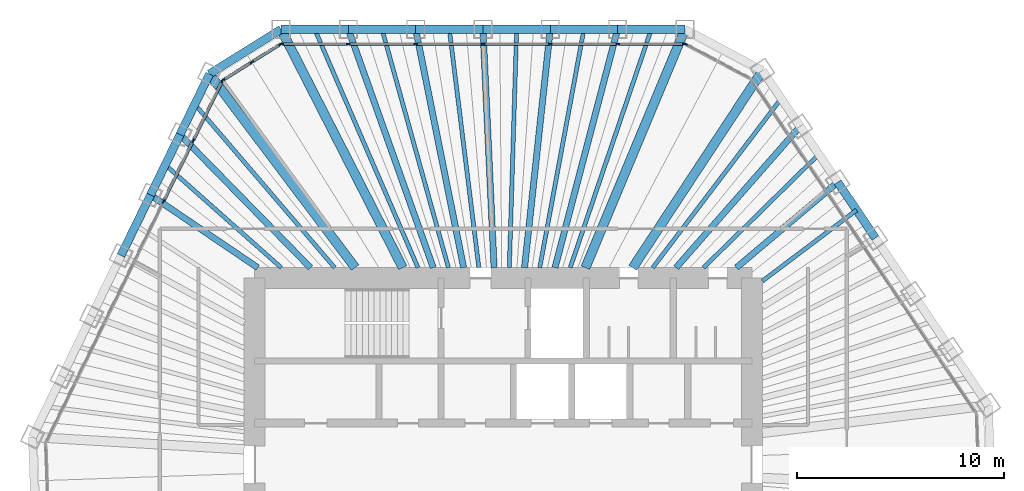
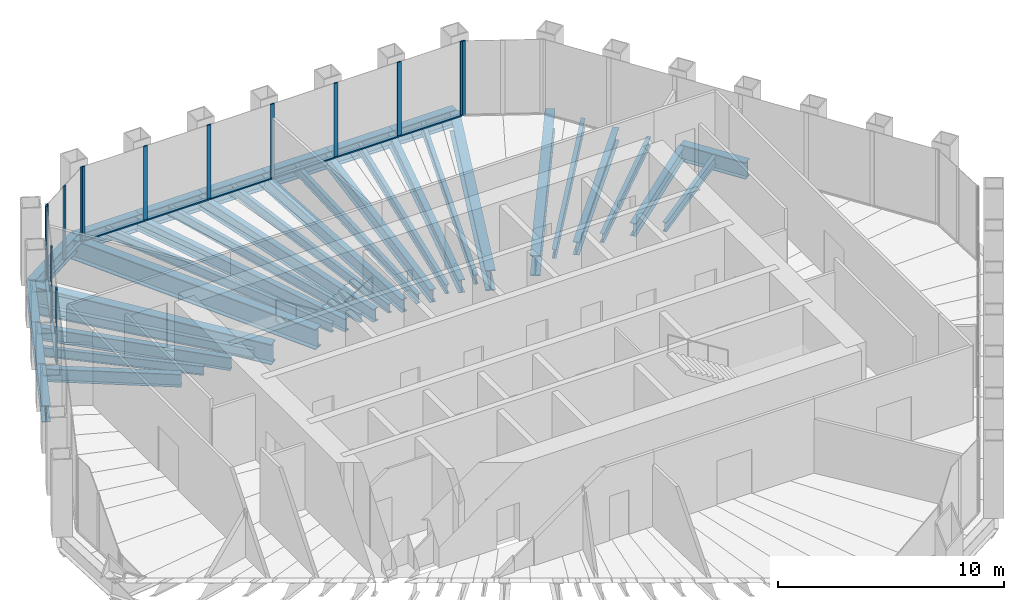
# One storey, part 7 of 14: 35 beams, 24 members, 4 elements without a shape of their own.
"""IFC4 building model written with IfcOpenShell, lengths in metres."""

from ifc_helpers import new_model, si_unit, direction, frame, origin, origin_2d, place, context, subcontext, project, spatial, rectangle, i_section, extrude, material, material_profile, profile_set, type_object, element, aggregate, save


model = new_model("IFC4")

# Units and contexts
model_context = context("Model", 3, precision=1e-05, world=origin(), true_north=direction((0.0, 1.0)))
body_context = subcontext(model_context, "Body", "Model", "MODEL_VIEW")
ifc_project = project(units=[si_unit("LENGTHUNIT", "METRE"), si_unit("AREAUNIT", "SQUARE_METRE"), si_unit("VOLUMEUNIT", "CUBIC_METRE"), si_unit("PLANEANGLEUNIT", "RADIAN"), si_unit("MASSUNIT", "GRAM", prefix="KILO")], contexts=[model_context])

# Site, building, storey
site_placement = place(None, origin())
site = spatial("IfcSite", under=ifc_project, at=site_placement, CompositionType="ELEMENT")
building_placement = place(site_placement, origin())
building = spatial("IfcBuilding", under=site, at=building_placement, Name="Qingtian Harvest Tower", CompositionType="ELEMENT")
storey_placement = place(building_placement, frame((0.0, 0.0, 291.39990234375)))
storey = spatial("IfcBuildingStorey", under=building, at=storey_placement, Name="L64", CompositionType="ELEMENT", Elevation=291.39990234375)

# Beams
ifc_material_1 = material(Name="Steel SM570MC", Category="steel")
ifc_material_profile_1 = material_profile(ifc_material_1, i_section(OverallWidth=0.449951171875, OverallDepth=1.10009765625, WebThickness=0.02197265625, FlangeThickness=0.044921875, at=origin_2d()), Name="H1100x450x22x45")
ifc_profile_set_1 = profile_set([ifc_material_profile_1], Name="Steel SM570MC")
beam_type_1 = type_object("IfcBeamType", Name="Corner floor beam FB8 H1100x450x22x45", PredefinedType="BEAM", material=ifc_profile_set_1)
beam_1_placement = place(storey_placement, frame((-10.72216796875, 21.0, -0.719970703125), z_axis=(0.454730568944, -0.890629052787, 0.0), x_axis=(0.890629052787, 0.454730568944, 0.0)))
element("IfcBeam", 1, at=beam_1_placement, inside=storey, type_object=beam_type_1, Name="Floor beam FB8 N0", PredefinedType="BEAM", context=body_context, shape_type="SweptSolid", body=[
    extrude(i_section(OverallWidth=0.449951171875, OverallDepth=1.10009765625, WebThickness=0.02197265625, FlangeThickness=0.044921875, at=origin_2d()), origin(), (0.0, 0.0, 1.0), 12.912109375),
])
beam_2_placement = place(storey_placement, frame((8.765869140625, 21.0, -0.719970703125), z_axis=(-0.385205133264, -0.922830973313, 0.0), x_axis=(0.922830973313, -0.385205133264, 0.0)))
element("IfcBeam", 2, at=beam_2_placement, inside=storey, type_object=beam_type_1, Name="Floor beam FB8 N6", PredefinedType="BEAM", context=body_context, shape_type="SweptSolid", body=[
    extrude(i_section(OverallWidth=0.449951171875, OverallDepth=1.10009765625, WebThickness=0.02197265625, FlangeThickness=0.044921875, at=origin_2d()), origin(), (0.0, 0.0, 1.0), 12.461669921875),
])
beam_3_placement = place(storey_placement, frame((12.508056640625, 19.01025390625, -0.719970703125), z_axis=(-0.549666916329, -0.835383912398, 0.0), x_axis=(0.835383912398, -0.549666916329, 0.0)))
element("IfcBeam", 3, at=beam_3_placement, inside=storey, type_object=beam_type_1, Name="Floor beam FB8 NE0", PredefinedType="BEAM", context=body_context, shape_type="SweptSolid", body=[
    extrude(i_section(OverallWidth=0.449951171875, OverallDepth=1.10009765625, WebThickness=0.02197265625, FlangeThickness=0.044921875, at=origin_2d()), origin(), (0.0, 0.0, 1.0), 11.38427734375),
])
beam_4_placement = place(storey_placement, frame((-14.17431640625, 18.8427734375, -0.719970703125), z_axis=(0.601148761641, -0.799137138655, 0.0), x_axis=(0.799137138655, 0.601148761641, 0.0)))
element("IfcBeam", 4, at=beam_4_placement, inside=storey, type_object=beam_type_1, Name="Floor beam FB8 NW6", PredefinedType="BEAM", context=body_context, shape_type="SweptSolid", body=[
    extrude(i_section(OverallWidth=0.449951171875, OverallDepth=1.10009765625, WebThickness=0.02197265625, FlangeThickness=0.044921875, at=origin_2d()), origin(), (0.0, 0.0, 1.0), 11.691162109375),
])
ifc_material_2 = material(Name="Steel SN490B", Category="steel")
ifc_material_profile_2 = material_profile(ifc_material_2, i_section(OverallWidth=0.300048828125, OverallDepth=0.699951171875, WebThickness=0.012939453125, FlangeThickness=0.02392578125, at=origin_2d()), Name="H700x300x13x24")
ifc_profile_set_2 = profile_set([ifc_material_profile_2], Name="Steel SN490B")
beam_type_2 = type_object("IfcBeamType", Name="Floor beam FB4 H700x300x13x24", PredefinedType="BEAM", material=ifc_profile_set_2)
beam_5_placement = place(storey_placement, frame((-7.47412109375, 21.0, -0.52001953125), z_axis=(0.335309922571, -0.94210787908, 0.0), x_axis=(0.94210787908, 0.335309922571, 0.0)))
element("IfcBeam", 5, at=beam_5_placement, inside=storey, type_object=beam_type_2, Name="Floor beam FB4 N1", PredefinedType="BEAM", context=body_context, shape_type="SweptSolid", body=[
    extrude(i_section(OverallWidth=0.300048828125, OverallDepth=0.699951171875, WebThickness=0.012939453125, FlangeThickness=0.02392578125, at=origin_2d()), origin(), (0.0, 0.0, 1.0), 12.206787109375),
])
beam_6_placement = place(storey_placement, frame((-4.226318359375, 21.0, -0.52001953125), z_axis=(0.197300692693, -0.980343019898, 0.0), x_axis=(0.980343019898, 0.197300692693, 0.0)))
element("IfcBeam", 6, at=beam_6_placement, inside=storey, type_object=beam_type_2, Name="Floor beam FB4 N2", PredefinedType="BEAM", context=body_context, shape_type="SweptSolid", body=[
    extrude(i_section(OverallWidth=0.300048828125, OverallDepth=0.699951171875, WebThickness=0.012939453125, FlangeThickness=0.02392578125, at=origin_2d()), origin(), (0.0, 0.0, 1.0), 11.73046875),
])
beam_7_placement = place(storey_placement, frame((-0.978271484375, 21.0, -0.52001953125), z_axis=(0.046527342366, -0.99891701678, 0.0), x_axis=(0.99891701678, 0.046527342366, 0.0)))
element("IfcBeam", 7, at=beam_7_placement, inside=storey, type_object=beam_type_2, Name="Floor beam FB4 N3", PredefinedType="BEAM", context=body_context, shape_type="SweptSolid", body=[
    extrude(i_section(OverallWidth=0.300048828125, OverallDepth=0.699951171875, WebThickness=0.012939453125, FlangeThickness=0.02392578125, at=origin_2d()), origin(), (0.0, 0.0, 1.0), 11.512451171875),
])
beam_8_placement = place(storey_placement, frame((2.269775390625, 21.0, -0.52001953125), z_axis=(-0.107454213734, -0.994210034123, 0.0), x_axis=(0.994210034123, -0.107454213734, 0.0)))
element("IfcBeam", 8, at=beam_8_placement, inside=storey, type_object=beam_type_2, Name="Floor beam FB4 N4", PredefinedType="BEAM", context=body_context, shape_type="SweptSolid", body=[
    extrude(i_section(OverallWidth=0.300048828125, OverallDepth=0.699951171875, WebThickness=0.012939453125, FlangeThickness=0.02392578125, at=origin_2d()), origin(), (0.0, 0.0, 1.0), 11.56689453125),
])
beam_9_placement = place(storey_placement, frame((5.517822265625, 21.0, -0.52001953125), z_axis=(-0.254132470973, -0.967169420111, 0.0), x_axis=(0.967169420111, -0.254132470973, 0.0)))
element("IfcBeam", 9, at=beam_9_placement, inside=storey, type_object=beam_type_2, Name="Floor beam FB4 N5", PredefinedType="BEAM", context=body_context, shape_type="SweptSolid", body=[
    extrude(i_section(OverallWidth=0.300048828125, OverallDepth=0.699951171875, WebThickness=0.012939453125, FlangeThickness=0.02392578125, at=origin_2d()), origin(), (0.0, 0.0, 1.0), 11.890380859375),
])
beam_10_placement = place(storey_placement, frame((14.32421875, 16.317626953125, -0.52001953125), z_axis=(-0.659702205655, -0.751527111856, 0.0), x_axis=(0.751527111856, -0.659702205655, 0.0)))
element("IfcBeam", 10, at=beam_10_placement, inside=storey, type_object=beam_type_2, Name="Floor beam FB4 NE1", PredefinedType="BEAM", context=body_context, shape_type="SweptSolid", body=[
    extrude(i_section(OverallWidth=0.300048828125, OverallDepth=0.699951171875, WebThickness=0.012939453125, FlangeThickness=0.02392578125, at=origin_2d()), origin(), (0.0, 0.0, 1.0), 9.07177734375),
])
beam_11_placement = place(storey_placement, frame((16.140625, 13.624755859375, -0.52001953125), z_axis=(-0.764153276603, -0.645034704382, 0.0), x_axis=(0.645034704382, -0.764153276603, 0.0)))
element("IfcBeam", 11, at=beam_11_placement, inside=storey, type_object=beam_type_2, Name="Floor beam FB4 NE2", PredefinedType="BEAM", context=body_context, shape_type="SweptSolid", body=[
    extrude(i_section(OverallWidth=0.300048828125, OverallDepth=0.699951171875, WebThickness=0.012939453125, FlangeThickness=0.02392578125, at=origin_2d()), origin(), (0.0, 0.0, 1.0), 6.39453125),
])
beam_12_placement = place(storey_placement, frame((-17.02197265625, 13.00439453125, -0.52001953125), z_axis=(0.827854296295, -0.560943191514, 0.0), x_axis=(0.560943191514, 0.827854296295, 0.0)))
element("IfcBeam", 12, at=beam_12_placement, inside=storey, type_object=beam_type_2, Name="Floor beam FB4 NW4", PredefinedType="BEAM", context=body_context, shape_type="SweptSolid", body=[
    extrude(i_section(OverallWidth=0.300048828125, OverallDepth=0.699951171875, WebThickness=0.012939453125, FlangeThickness=0.02392578125, at=origin_2d()), origin(), (0.0, 0.0, 1.0), 6.247314453125),
])
beam_13_placement = place(storey_placement, frame((-15.59814453125, 15.923583984375, -0.52001953125), z_axis=(0.699765413715, -0.714372707883, 0.0), x_axis=(0.714372707883, 0.699765413715, 0.0)))
element("IfcBeam", 13, at=beam_13_placement, inside=storey, type_object=beam_type_2, Name="Floor beam FB4 NW5", PredefinedType="BEAM", context=body_context, shape_type="SweptSolid", body=[
    extrude(i_section(OverallWidth=0.300048828125, OverallDepth=0.699951171875, WebThickness=0.012939453125, FlangeThickness=0.02392578125, at=origin_2d()), origin(), (0.0, 0.0, 1.0), 8.991943359375),
])
ifc_material_3 = material(Name="Steel SN490B", Category="steel")
ifc_material_profile_3 = material_profile(ifc_material_3, i_section(OverallWidth=0.199951171875, OverallDepth=0.5, WebThickness=0.010009765625, FlangeThickness=0.01611328125, at=origin_2d()), Name="H500x200x10x16")
ifc_profile_set_3 = profile_set([ifc_material_profile_3], Name="Steel SN490B")
beam_type_3 = type_object("IfcBeamType", Name="Floor joist J3 H500x200x10x16", PredefinedType="JOIST", material=ifc_profile_set_3)
beam_14_placement = place(storey_placement, frame((-9.09814453125, 21.0, -0.419921875), z_axis=(0.397529807491, -0.917589261138, 0.0), x_axis=(0.917589261138, 0.397529807491, 0.0)))
element("IfcBeam", 14, at=beam_14_placement, inside=storey, type_object=beam_type_3, Name="Floor joist J3 N0", PredefinedType="JOIST", context=body_context, shape_type="SweptSolid", body=[
    extrude(i_section(OverallWidth=0.199951171875, OverallDepth=0.5, WebThickness=0.010009765625, FlangeThickness=0.01611328125, at=origin_2d()), origin(), (0.0, 0.0, 1.0), 12.532958984375),
])
beam_15_placement = place(storey_placement, frame((-5.85009765625, 21.0, -0.419921875), z_axis=(0.268356818155, -0.963319582563, 0.0), x_axis=(0.963319582563, 0.268356818155, 0.0)))
element("IfcBeam", 15, at=beam_15_placement, inside=storey, type_object=beam_type_3, Name="Floor joist J3 N1", PredefinedType="JOIST", context=body_context, shape_type="SweptSolid", body=[
    extrude(i_section(OverallWidth=0.199951171875, OverallDepth=0.5, WebThickness=0.010009765625, FlangeThickness=0.01611328125, at=origin_2d()), origin(), (0.0, 0.0, 1.0), 11.93798828125),
])
beam_16_placement = place(storey_placement, frame((-2.602294921875, 21.0, -0.419921875), z_axis=(0.122976702395, -0.992409557929, 0.0), x_axis=(0.992409557929, 0.122976702395, 0.0)))
element("IfcBeam", 16, at=beam_16_placement, inside=storey, type_object=beam_type_3, Name="Floor joist J3 N2", PredefinedType="JOIST", context=body_context, shape_type="SweptSolid", body=[
    extrude(i_section(OverallWidth=0.199951171875, OverallDepth=0.5, WebThickness=0.010009765625, FlangeThickness=0.01611328125, at=origin_2d()), origin(), (0.0, 0.0, 1.0), 11.587890625),
])
beam_17_placement = place(storey_placement, frame((0.645751953125, 21.0, -0.419921875), z_axis=(-0.030725974878, -0.999527845769, 0.0), x_axis=(0.999527845769, -0.030725974878, 0.0)))
element("IfcBeam", 17, at=beam_17_placement, inside=storey, type_object=beam_type_3, Name="Floor joist J3 N3", PredefinedType="JOIST", context=body_context, shape_type="SweptSolid", body=[
    extrude(i_section(OverallWidth=0.199951171875, OverallDepth=0.5, WebThickness=0.010009765625, FlangeThickness=0.01611328125, at=origin_2d()), origin(), (0.0, 0.0, 1.0), 11.50537109375),
])
beam_18_placement = place(storey_placement, frame((3.893798828125, 21.0, -0.419921875), z_axis=(-0.182312001941, -0.983240730416, 0.0), x_axis=(0.983240730416, -0.182312001941, 0.0)))
element("IfcBeam", 18, at=beam_18_placement, inside=storey, type_object=beam_type_3, Name="Floor joist J3 N4", PredefinedType="JOIST", context=body_context, shape_type="SweptSolid", body=[
    extrude(i_section(OverallWidth=0.199951171875, OverallDepth=0.5, WebThickness=0.010009765625, FlangeThickness=0.01611328125, at=origin_2d()), origin(), (0.0, 0.0, 1.0), 11.696044921875),
])
beam_19_placement = place(storey_placement, frame((7.141845703125, 21.0, -0.419921875), z_axis=(-0.321968312345, -0.94675044539, 0.0), x_axis=(0.94675044539, -0.321968312345, 0.0)))
element("IfcBeam", 19, at=beam_19_placement, inside=storey, type_object=beam_type_3, Name="Floor joist J3 N5", PredefinedType="JOIST", context=body_context, shape_type="SweptSolid", body=[
    extrude(i_section(OverallWidth=0.199951171875, OverallDepth=0.5, WebThickness=0.010009765625, FlangeThickness=0.01611328125, at=origin_2d()), origin(), (0.0, 0.0, 1.0), 12.146728515625),
])
beam_20_placement = place(storey_placement, frame((13.416015625, 17.6640625, -0.419921875), z_axis=(-0.604835675798, -0.796350303122, 0.0), x_axis=(0.796350303122, -0.604835675798, 0.0)))
element("IfcBeam", 20, at=beam_20_placement, inside=storey, type_object=beam_type_3, Name="Floor joist J3 NE0", PredefinedType="JOIST", context=body_context, shape_type="SweptSolid", body=[
    extrude(i_section(OverallWidth=0.199951171875, OverallDepth=0.5, WebThickness=0.010009765625, FlangeThickness=0.01611328125, at=origin_2d()), origin(), (0.0, 0.0, 1.0), 10.251953125),
])
beam_21_placement = place(storey_placement, frame((15.232421875, 14.97119140625, -0.419921875), z_axis=(-0.713195408707, -0.700965269467, 0.0), x_axis=(0.700965269467, -0.713195408707, 0.0)))
element("IfcBeam", 21, at=beam_21_placement, inside=storey, type_object=beam_type_3, Name="Floor joist J3 NE1", PredefinedType="JOIST", context=body_context, shape_type="SweptSolid", body=[
    extrude(i_section(OverallWidth=0.199951171875, OverallDepth=0.5, WebThickness=0.010009765625, FlangeThickness=0.01611328125, at=origin_2d()), origin(), (0.0, 0.0, 1.0), 7.80517578125),
])
beam_22_placement = place(storey_placement, frame((17.048583984375, 12.278564453125, -0.419921875), z_axis=(-0.79856269076, -0.601911645448, 0.0), x_axis=(0.601911645448, -0.79856269076, 0.0)))
element("IfcBeam", 22, at=beam_22_placement, inside=storey, type_object=beam_type_3, Name="Floor joist J3 NE2", PredefinedType="JOIST", context=body_context, shape_type="SweptSolid", body=[
    extrude(i_section(OverallWidth=0.199951171875, OverallDepth=0.5, WebThickness=0.010009765625, FlangeThickness=0.01611328125, at=origin_2d()), origin(), (0.0, 0.0, 1.0), 5.696044921875),
])
beam_23_placement = place(storey_placement, frame((-16.31005859375, 14.4638671875, -0.419921875), z_axis=(0.748179407524, -0.663496476372, 0.0), x_axis=(0.663496476372, 0.748179407524, 0.0)))
element("IfcBeam", 23, at=beam_23_placement, inside=storey, type_object=beam_type_3, Name="Floor joist J3 NW4", PredefinedType="JOIST", context=body_context, shape_type="SweptSolid", body=[
    extrude(i_section(OverallWidth=0.199951171875, OverallDepth=0.5, WebThickness=0.010009765625, FlangeThickness=0.01611328125, at=origin_2d()), origin(), (0.0, 0.0, 1.0), 7.4814453125),
])
beam_24_placement = place(storey_placement, frame((-14.88623046875, 17.38330078125, -0.419921875), z_axis=(0.650436795804, -0.7595603825, 0.0), x_axis=(0.7595603825, 0.650436795804, 0.0)))
element("IfcBeam", 24, at=beam_24_placement, inside=storey, type_object=beam_type_3, Name="Floor joist J3 NW5", PredefinedType="JOIST", context=body_context, shape_type="SweptSolid", body=[
    extrude(i_section(OverallWidth=0.199951171875, OverallDepth=0.5, WebThickness=0.010009765625, FlangeThickness=0.01611328125, at=origin_2d()), origin(), (0.0, 0.0, 1.0), 10.378662109375),
])

# Curtain wall, members
ifc_material_4 = material(Name="Bronze-anodised aluminium curtain wall", Category="aluminium")
curtain_wall_type = type_object("IfcCurtainWallType", Name="Curtain wall CW5 upper office", PredefinedType="USERDEFINED", material=ifc_material_4)
curtain_wall_1_placement = place(storey_placement, origin())
curtain_wall_1 = element("IfcCurtainWall", 25, at=curtain_wall_1_placement, inside=storey, type_object=curtain_wall_type, Name="Curtain wall CW5 L64 N0-5", ObjectType="RECESSED CURTAIN WALL", PredefinedType="USERDEFINED")
ifc_material_5 = material(Name="Bronze-anodised aluminium mullion", Category="aluminium")
ifc_material_profile_4 = material_profile(ifc_material_5, rectangle(XDim=0.06494140625, YDim=0.199951171875, at=origin_2d()), Name="AL 65x200")
ifc_profile_set_4 = profile_set([ifc_material_profile_4], Name="Bronze-anodised aluminium mullion")
member_type_1 = type_object("IfcMemberType", Name="Mullion CWM 65x200", PredefinedType="MULLION", material=ifc_profile_set_4)
member_1_placement = place(storey_placement, frame((-10.689697265625, 20.300048828125, 0.0), z_axis=(0.0, 0.0, 1.0), x_axis=(0.0, 1.0, 0.0)))
member_1 = element("IfcMember", 26, at=member_1_placement, type_object=member_type_1, Name="CW5 mullion 1", PredefinedType="MULLION", context=body_context, shape_type="SweptSolid", body=[
    extrude(rectangle(XDim=0.06494140625, YDim=0.199951171875, at=origin_2d()), origin(), (0.0, 0.0, 1.0), 4.030029296875),
])
member_2_placement = place(storey_placement, frame((-7.47412109375, 20.300048828125, 0.0), z_axis=(0.0, 0.0, 1.0), x_axis=(0.0, 1.0, 0.0)))
member_2 = element("IfcMember", 27, at=member_2_placement, type_object=member_type_1, Name="CW5 mullion 2", PredefinedType="MULLION", context=body_context, shape_type="SweptSolid", body=[
    extrude(rectangle(XDim=0.06494140625, YDim=0.199951171875, at=origin_2d()), origin(), (0.0, 0.0, 1.0), 4.030029296875),
])
member_3_placement = place(storey_placement, frame((-4.226318359375, 20.300048828125, 0.0), z_axis=(0.0, 0.0, 1.0), x_axis=(0.0, 1.0, 0.0)))
member_3 = element("IfcMember", 28, at=member_3_placement, type_object=member_type_1, Name="CW5 mullion 3", PredefinedType="MULLION", context=body_context, shape_type="SweptSolid", body=[
    extrude(rectangle(XDim=0.06494140625, YDim=0.199951171875, at=origin_2d()), origin(), (0.0, 0.0, 1.0), 4.030029296875),
])
member_4_placement = place(storey_placement, frame((-0.978271484375, 20.300048828125, 0.0), z_axis=(0.0, 0.0, 1.0), x_axis=(0.0, 1.0, 0.0)))
member_4 = element("IfcMember", 29, at=member_4_placement, type_object=member_type_1, Name="CW5 mullion 4", PredefinedType="MULLION", context=body_context, shape_type="SweptSolid", body=[
    extrude(rectangle(XDim=0.06494140625, YDim=0.199951171875, at=origin_2d()), origin(), (0.0, 0.0, 1.0), 4.030029296875),
])
member_5_placement = place(storey_placement, frame((2.269775390625, 20.300048828125, 0.0), z_axis=(0.0, 0.0, 1.0), x_axis=(0.0, 1.0, 0.0)))
member_5 = element("IfcMember", 30, at=member_5_placement, type_object=member_type_1, Name="CW5 mullion 5", PredefinedType="MULLION", context=body_context, shape_type="SweptSolid", body=[
    extrude(rectangle(XDim=0.06494140625, YDim=0.199951171875, at=origin_2d()), origin(), (0.0, 0.0, 1.0), 4.030029296875),
])
member_6_placement = place(storey_placement, frame((5.517822265625, 20.300048828125, 0.0), z_axis=(0.0, 0.0, 1.0), x_axis=(0.0, 1.0, 0.0)))
member_6 = element("IfcMember", 31, at=member_6_placement, type_object=member_type_1, Name="CW5 mullion 6", PredefinedType="MULLION", context=body_context, shape_type="SweptSolid", body=[
    extrude(rectangle(XDim=0.06494140625, YDim=0.199951171875, at=origin_2d()), origin(), (0.0, 0.0, 1.0), 4.030029296875),
])
member_7_placement = place(storey_placement, frame((8.7333984375, 20.300048828125, 0.0), z_axis=(0.0, 0.0, 1.0), x_axis=(0.0, 1.0, 0.0)))
member_7 = element("IfcMember", 32, at=member_7_placement, type_object=member_type_1, Name="CW5 mullion 7", PredefinedType="MULLION", context=body_context, shape_type="SweptSolid", body=[
    extrude(rectangle(XDim=0.06494140625, YDim=0.199951171875, at=origin_2d()), origin(), (0.0, 0.0, 1.0), 4.030029296875),
])

# Curtain wall, member
curtain_wall_2_placement = place(storey_placement, origin())
curtain_wall_2 = element("IfcCurtainWall", 33, at=curtain_wall_2_placement, inside=storey, type_object=curtain_wall_type, Name="Curtain wall CW5 L64 NC", ObjectType="RECESSED CURTAIN WALL", PredefinedType="USERDEFINED")
member_8_placement = place(storey_placement, frame((8.794677734375, 20.28466796875, 0.0), z_axis=(0.0, 0.0, 1.0), x_axis=(0.469471562786, 0.882947592859, 0.0)))
member_8 = element("IfcMember", 34, at=member_8_placement, type_object=member_type_1, Name="CW5 mullion 1", PredefinedType="MULLION", context=body_context, shape_type="SweptSolid", body=[
    extrude(rectangle(XDim=0.06494140625, YDim=0.199951171875, at=origin_2d()), origin(), (0.0, 0.0, 1.0), 4.030029296875),
])
aggregate(curtain_wall_2, [member_8])

# Curtain wall, members
curtain_wall_3_placement = place(storey_placement, origin())
curtain_wall_3 = element("IfcCurtainWall", 35, at=curtain_wall_3_placement, inside=storey, type_object=curtain_wall_type, Name="Curtain wall CW5 L64 NW0-5", ObjectType="RECESSED CURTAIN WALL", PredefinedType="USERDEFINED")
member_9_placement = place(storey_placement, frame((-16.392822265625, 12.697509765625, 0.0), z_axis=(0.0, 0.0, 1.0), x_axis=(-0.898794046299, 0.438371146789, 0.0)))
member_9 = element("IfcMember", 36, at=member_9_placement, type_object=member_type_1, Name="CW5 mullion 5", PredefinedType="MULLION", context=body_context, shape_type="SweptSolid", body=[
    extrude(rectangle(XDim=0.06494140625, YDim=0.199951171875, at=origin_2d()), origin(), (0.0, 0.0, 1.0), 4.030029296875),
])
member_10_placement = place(storey_placement, frame((-14.968994140625, 15.61669921875, 0.0), z_axis=(0.0, 0.0, 1.0), x_axis=(-0.898794046299, 0.438371146789, 0.0)))
member_10 = element("IfcMember", 37, at=member_10_placement, type_object=member_type_1, Name="CW5 mullion 6", PredefinedType="MULLION", context=body_context, shape_type="SweptSolid", body=[
    extrude(rectangle(XDim=0.06494140625, YDim=0.199951171875, at=origin_2d()), origin(), (0.0, 0.0, 1.0), 4.030029296875),
])
member_11_placement = place(storey_placement, frame((-13.559326171875, 18.5068359375, 0.0), z_axis=(0.0, 0.0, 1.0), x_axis=(-0.898794046299, 0.438371146789, 0.0)))
member_11 = element("IfcMember", 38, at=member_11_placement, type_object=member_type_1, Name="CW5 mullion 7", PredefinedType="MULLION", context=body_context, shape_type="SweptSolid", body=[
    extrude(rectangle(XDim=0.06494140625, YDim=0.199951171875, at=origin_2d()), origin(), (0.0, 0.0, 1.0), 4.030029296875),
])

curtain_wall_4_placement = place(storey_placement, origin())
curtain_wall_4 = element("IfcCurtainWall", 39, at=curtain_wall_4_placement, inside=storey, type_object=curtain_wall_type, Name="Curtain wall CW5 L64 NWC", ObjectType="RECESSED CURTAIN WALL", PredefinedType="USERDEFINED")
member_12_placement = place(storey_placement, frame((-13.517578125, 18.55322265625, 0.0), z_axis=(0.0, 0.0, 1.0), x_axis=(-0.529919264233, 0.848048096156, 0.0)))
member_12 = element("IfcMember", 40, at=member_12_placement, type_object=member_type_1, Name="CW5 mullion 1", PredefinedType="MULLION", context=body_context, shape_type="SweptSolid", body=[
    extrude(rectangle(XDim=0.06494140625, YDim=0.199951171875, at=origin_2d()), origin(), (0.0, 0.0, 1.0), 4.030029296875),
])
member_13_placement = place(storey_placement, frame((-12.1337890625, 19.41796875, 0.0), z_axis=(0.0, 0.0, 1.0), x_axis=(-0.529919264233, 0.848048096156, 0.0)))
member_13 = element("IfcMember", 41, at=member_13_placement, type_object=member_type_1, Name="CW5 mullion 2", PredefinedType="MULLION", context=body_context, shape_type="SweptSolid", body=[
    extrude(rectangle(XDim=0.06494140625, YDim=0.199951171875, at=origin_2d()), origin(), (0.0, 0.0, 1.0), 4.030029296875),
])
member_14_placement = place(storey_placement, frame((-10.749755859375, 20.28271484375, 0.0), z_axis=(0.0, 0.0, 1.0), x_axis=(-0.529919264233, 0.848048096156, 0.0)))
member_14 = element("IfcMember", 42, at=member_14_placement, type_object=member_type_1, Name="CW5 mullion 3", PredefinedType="MULLION", context=body_context, shape_type="SweptSolid", body=[
    extrude(rectangle(XDim=0.06494140625, YDim=0.199951171875, at=origin_2d()), origin(), (0.0, 0.0, 1.0), 4.030029296875),
])

# Beams
ifc_material_6 = material(Name="Steel SN490B", Category="steel")
ifc_material_profile_5 = material_profile(ifc_material_6, i_section(OverallWidth=0.39990234375, OverallDepth=0.89990234375, WebThickness=0.01904296875, FlangeThickness=0.035888671875, at=origin_2d()), Name="H900x400x19x36")
ifc_profile_set_5 = profile_set([ifc_material_profile_5], Name="Steel SN490B")
beam_type_4 = type_object("IfcBeamType", Name="Spandrel beam SB4 H900x400x19x36", PredefinedType="SPANDREL", material=ifc_profile_set_5)
beam_25_placement = place(storey_placement, frame((-10.72216796875, 21.0, -0.449951171875), z_axis=(1.0, 0.0, 0.0), x_axis=(0.0, 1.0, 0.0)))
element("IfcBeam", 43, at=beam_25_placement, inside=storey, type_object=beam_type_4, Name="Spandrel SB4 N0", PredefinedType="SPANDREL", context=body_context, shape_type="SweptSolid", body=[
    extrude(i_section(OverallWidth=0.39990234375, OverallDepth=0.89990234375, WebThickness=0.01904296875, FlangeThickness=0.035888671875, at=origin_2d()), origin(), (0.0, 0.0, 1.0), 3.248046875),
])
beam_26_placement = place(storey_placement, frame((-7.47412109375, 21.0, -0.449951171875), z_axis=(1.0, 0.0, 0.0), x_axis=(0.0, 1.0, 0.0)))
element("IfcBeam", 44, at=beam_26_placement, inside=storey, type_object=beam_type_4, Name="Spandrel SB4 N1", PredefinedType="SPANDREL", context=body_context, shape_type="SweptSolid", body=[
    extrude(i_section(OverallWidth=0.39990234375, OverallDepth=0.89990234375, WebThickness=0.01904296875, FlangeThickness=0.035888671875, at=origin_2d()), origin(), (0.0, 0.0, 1.0), 3.247802734375),
])
for number, where, z_axis, x_axis, name in (
    (45, (-4.226318359375, 21.0, -0.449951171875), (1.0, 0.0, 0.0), (0.0, 1.0, 0.0), "Spandrel SB4 N2"),
    (46, (-0.978271484375, 21.0, -0.449951171875), (1.0, 0.0, 0.0), (0.0, 1.0, 0.0), "Spandrel SB4 N3"),
    (47, (2.269775390625, 21.0, -0.449951171875), (1.0, 0.0, 0.0), (0.0, 1.0, 0.0), "Spandrel SB4 N4"),
    (48, (5.517822265625, 21.0, -0.449951171875), (1.0, 0.0, 0.0), (0.0, 1.0, 0.0), "Spandrel SB4 N5"),
):
    element("IfcBeam", number, at=place(storey_placement, frame(where, z_axis=z_axis, x_axis=x_axis)), inside=storey, type_object=beam_type_4, Name=name, PredefinedType="SPANDREL", context=body_context, shape_type="SweptSolid", body=[
        extrude(i_section(OverallWidth=0.39990234375, OverallDepth=0.89990234375, WebThickness=0.01904296875, FlangeThickness=0.035888671875, at=origin_2d()), origin(), (0.0, 0.0, 1.0), 3.248046875),
    ])
beam_27_placement = place(storey_placement, frame((16.140625, 13.624755859375, -0.449951171875), z_axis=(0.559184924833, -0.829042954158, 0.0), x_axis=(0.829042954158, 0.559184924833, 0.0)))
element("IfcBeam", 49, at=beam_27_placement, inside=storey, type_object=beam_type_4, Name="Spandrel SB4 NE2", PredefinedType="SPANDREL", context=body_context, shape_type="SweptSolid", body=[
    extrude(i_section(OverallWidth=0.39990234375, OverallDepth=0.89990234375, WebThickness=0.01904296875, FlangeThickness=0.035888671875, at=origin_2d()), origin(), (0.0, 0.0, 1.0), 3.247802734375),
])
beam_28_placement = place(storey_placement, frame((-18.44580078125, 10.0849609375, -0.449951171875), z_axis=(0.438352548749, 0.898803116931, 0.0), x_axis=(-0.898803116931, 0.438352548749, 0.0)))
element("IfcBeam", 50, at=beam_28_placement, inside=storey, type_object=beam_type_4, Name="Spandrel SB4 NW3", PredefinedType="SPANDREL", context=body_context, shape_type="SweptSolid", body=[
    extrude(i_section(OverallWidth=0.39990234375, OverallDepth=0.89990234375, WebThickness=0.01904296875, FlangeThickness=0.035888671875, at=origin_2d()), origin(), (0.0, 0.0, 1.0), 3.248046875),
])
for number, where, z_axis, x_axis, name in (
    (51, (-17.02197265625, 13.00439453125, -0.449951171875), (0.438382164311, 0.898788672611, 0.0), (-0.898788672611, 0.438382164311, 0.0), "Spandrel SB4 NW4"),
    (52, (-15.59814453125, 15.923583984375, -0.449951171875), (0.438382164311, 0.898788672611, 0.0), (-0.898788672611, 0.438382164311, 0.0), "Spandrel SB4 NW5"),
):
    element("IfcBeam", number, at=place(storey_placement, frame(where, z_axis=z_axis, x_axis=x_axis)), inside=storey, type_object=beam_type_4, Name=name, PredefinedType="SPANDREL", context=body_context, shape_type="SweptSolid", body=[
        extrude(i_section(OverallWidth=0.39990234375, OverallDepth=0.89990234375, WebThickness=0.01904296875, FlangeThickness=0.035888671875, at=origin_2d()), origin(), (0.0, 0.0, 1.0), 3.247802734375),
    ])
beam_29_placement = place(storey_placement, frame((-14.17431640625, 18.8427734375, -0.449951171875), z_axis=(0.848038733752, 0.529934246919, 0.0), x_axis=(-0.529934246919, 0.848038733752, 0.0)))
element("IfcBeam", 53, at=beam_29_placement, inside=storey, type_object=beam_type_4, Name="Spandrel SB4 NWC", PredefinedType="SPANDREL", context=body_context, shape_type="SweptSolid", body=[
    extrude(i_section(OverallWidth=0.39990234375, OverallDepth=0.89990234375, WebThickness=0.01904296875, FlangeThickness=0.035888671875, at=origin_2d()), origin(), (0.0, 0.0, 1.0), 4.07080078125),
])

# Member
ifc_material_7 = material(Name="Bronze-anodised aluminium transom", Category="aluminium")
ifc_material_profile_6 = material_profile(ifc_material_7, rectangle(XDim=0.14990234375, YDim=0.06494140625, at=origin_2d()), Name="AL 65x150")
ifc_profile_set_6 = profile_set([ifc_material_profile_6], Name="Bronze-anodised aluminium transom")
member_type_2 = type_object("IfcMemberType", Name="Transom CWT 65x150", PredefinedType="USERDEFINED", material=ifc_profile_set_6)
member_15_placement = place(storey_placement, frame((-10.6572265625, 20.300048828125, 0.03271484375), z_axis=(1.0, 0.0, 0.0), x_axis=(0.0, 1.0, 0.0)))
member_15 = element("IfcMember", 54, at=member_15_placement, type_object=member_type_2, Name="CW5 transom 1.1", ObjectType="TRANSOM", PredefinedType="USERDEFINED", context=body_context, shape_type="SweptSolid", body=[
    extrude(rectangle(XDim=0.14990234375, YDim=0.06494140625, at=origin_2d()), origin(), (0.0, 0.0, 1.0), 3.150390625),
])

member_16_placement = place(storey_placement, frame((-7.441650390625, 20.300048828125, 0.03271484375), z_axis=(1.0, 0.0, 0.0), x_axis=(0.0, 1.0, 0.0)))
member_16 = element("IfcMember", 55, at=member_16_placement, type_object=member_type_2, Name="CW5 transom 2.1", ObjectType="TRANSOM", PredefinedType="USERDEFINED", context=body_context, shape_type="SweptSolid", body=[
    extrude(rectangle(XDim=0.14990234375, YDim=0.06494140625, at=origin_2d()), origin(), (0.0, 0.0, 1.0), 3.182861328125),
])

member_17_placement = place(storey_placement, frame((-4.193603515625, 20.300048828125, 0.03271484375), z_axis=(1.0, 0.0, 0.0), x_axis=(0.0, 1.0, 0.0)))
member_17 = element("IfcMember", 56, at=member_17_placement, type_object=member_type_2, Name="CW5 transom 3.1", ObjectType="TRANSOM", PredefinedType="USERDEFINED", context=body_context, shape_type="SweptSolid", body=[
    extrude(rectangle(XDim=0.14990234375, YDim=0.06494140625, at=origin_2d()), origin(), (0.0, 0.0, 1.0), 3.182861328125),
])

member_18_placement = place(storey_placement, frame((-0.94580078125, 20.300048828125, 0.03271484375), z_axis=(1.0, 0.0, 0.0), x_axis=(0.0, 1.0, 0.0)))
member_18 = element("IfcMember", 57, at=member_18_placement, type_object=member_type_2, Name="CW5 transom 4.1", ObjectType="TRANSOM", PredefinedType="USERDEFINED", context=body_context, shape_type="SweptSolid", body=[
    extrude(rectangle(XDim=0.14990234375, YDim=0.06494140625, at=origin_2d()), origin(), (0.0, 0.0, 1.0), 3.18310546875),
])

member_19_placement = place(storey_placement, frame((2.30224609375, 20.300048828125, 0.03271484375), z_axis=(1.0, 0.0, 0.0), x_axis=(0.0, 1.0, 0.0)))
member_19 = element("IfcMember", 58, at=member_19_placement, type_object=member_type_2, Name="CW5 transom 5.1", ObjectType="TRANSOM", PredefinedType="USERDEFINED", context=body_context, shape_type="SweptSolid", body=[
    extrude(rectangle(XDim=0.14990234375, YDim=0.06494140625, at=origin_2d()), origin(), (0.0, 0.0, 1.0), 3.18310546875),
])

member_20_placement = place(storey_placement, frame((5.55029296875, 20.300048828125, 0.03271484375), z_axis=(1.0, 0.0, 0.0), x_axis=(0.0, 1.0, 0.0)))
member_20 = element("IfcMember", 59, at=member_20_placement, type_object=member_type_2, Name="CW5 transom 6.1", ObjectType="TRANSOM", PredefinedType="USERDEFINED", context=body_context, shape_type="SweptSolid", body=[
    extrude(rectangle(XDim=0.14990234375, YDim=0.06494140625, at=origin_2d()), origin(), (0.0, 0.0, 1.0), 3.150634765625),
])

aggregate(curtain_wall_1, [member_1, member_2, member_3, member_4, member_5, member_6, member_7, member_15, member_16, member_17, member_18, member_19, member_20])

member_21_placement = place(storey_placement, frame((-16.378662109375, 12.7265625, 0.03271484375), z_axis=(0.438355626738, 0.898801615768, 0.0), x_axis=(-0.898801615768, 0.438355626738, 0.0)))
member_21 = element("IfcMember", 60, at=member_21_placement, type_object=member_type_2, Name="CW5 transom 5.1", ObjectType="TRANSOM", PredefinedType="USERDEFINED", context=body_context, shape_type="SweptSolid", body=[
    extrude(rectangle(XDim=0.14990234375, YDim=0.06494140625, at=origin_2d()), origin(), (0.0, 0.0, 1.0), 3.182861328125),
])

member_22_placement = place(storey_placement, frame((-14.954833984375, 15.64599609375, 0.03271484375), z_axis=(0.438388515075, 0.898785575012, 0.0), x_axis=(-0.898785575012, 0.438388515075, 0.0)))
member_22 = element("IfcMember", 61, at=member_22_placement, type_object=member_type_2, Name="CW5 transom 6.1", ObjectType="TRANSOM", PredefinedType="USERDEFINED", context=body_context, shape_type="SweptSolid", body=[
    extrude(rectangle(XDim=0.14990234375, YDim=0.06494140625, at=origin_2d()), origin(), (0.0, 0.0, 1.0), 3.150390625),
])

aggregate(curtain_wall_3, [member_9, member_10, member_11, member_21, member_22])

member_23_placement = place(storey_placement, frame((-13.489990234375, 18.570556640625, 0.03271484375), z_axis=(0.848015812303, 0.529970925697, 0.0), x_axis=(-0.529970925697, 0.848015812303, 0.0)))
member_23 = element("IfcMember", 62, at=member_23_placement, type_object=member_type_2, Name="CW5 transom 1.1", ObjectType="TRANSOM", PredefinedType="USERDEFINED", context=body_context, shape_type="SweptSolid", body=[
    extrude(rectangle(XDim=0.14990234375, YDim=0.06494140625, at=origin_2d()), origin(), (0.0, 0.0, 1.0), 1.566650390625),
])

member_24_placement = place(storey_placement, frame((-12.106201171875, 19.435302734375, 0.03271484375), z_axis=(0.848059570903, 0.529900900357, 0.0), x_axis=(-0.529900900357, 0.848059570903, 0.0)))
member_24 = element("IfcMember", 63, at=member_24_placement, type_object=member_type_2, Name="CW5 transom 2.1", ObjectType="TRANSOM", PredefinedType="USERDEFINED", context=body_context, shape_type="SweptSolid", body=[
    extrude(rectangle(XDim=0.14990234375, YDim=0.06494140625, at=origin_2d()), origin(), (0.0, 0.0, 1.0), 1.56689453125),
])

aggregate(curtain_wall_4, [member_12, member_13, member_14, member_23, member_24])

save(model, "model.ifc")
